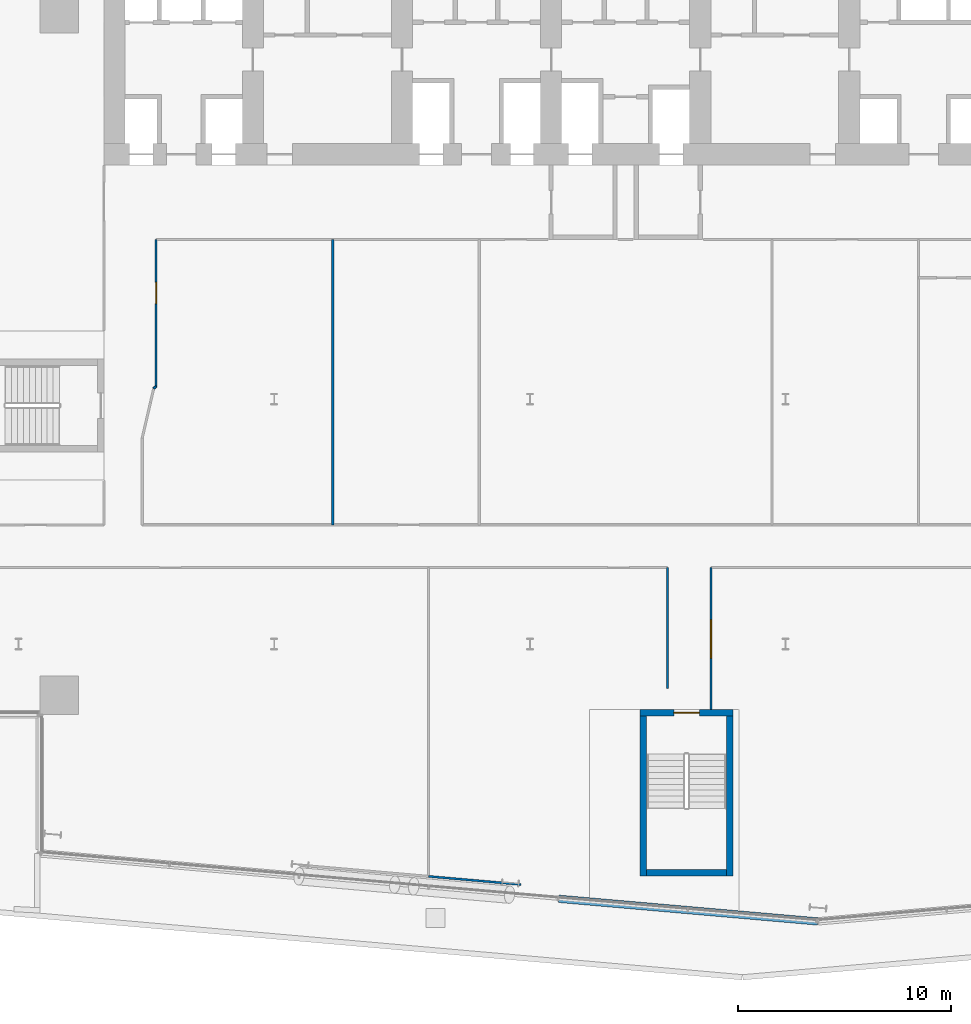
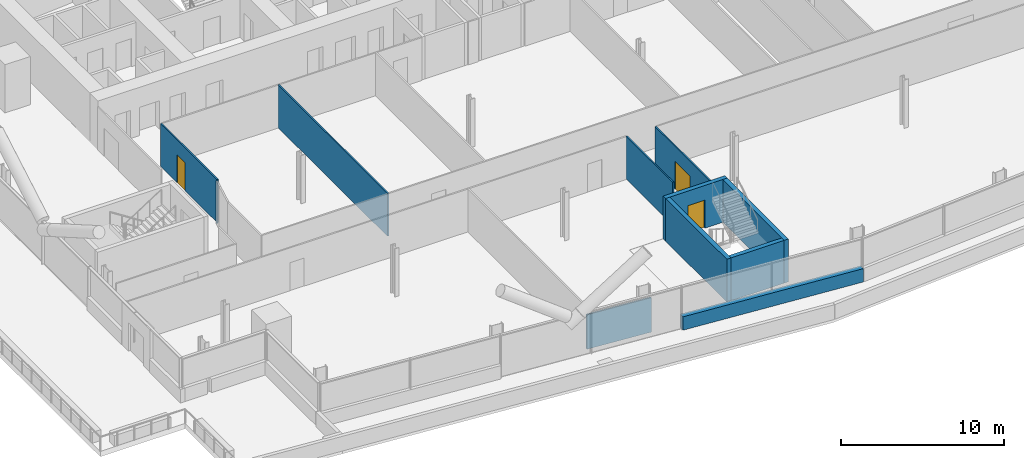
# One storey, part 12 of 26: 11 walls, 3 doors, 3 openings.
"""IFC4 building model written with IfcOpenShell, lengths in metres."""

from ifc_helpers import new_model, si_unit, direction, frame, frame_2d, origin, place, context, subcontext, project, spatial, rectangle, extrude, material, layer, layer_set, type_object, element, fill, save


model = new_model("IFC4")

# Units and contexts
model_context = context("Model", 3, precision=1e-05, world=origin(), true_north=direction((0.0, 1.0)))
body_context = subcontext(model_context, "Body", "Model", "MODEL_VIEW")
ifc_project = project(units=[si_unit("LENGTHUNIT", "METRE"), si_unit("AREAUNIT", "SQUARE_METRE"), si_unit("VOLUMEUNIT", "CUBIC_METRE"), si_unit("PLANEANGLEUNIT", "RADIAN"), si_unit("MASSUNIT", "GRAM", prefix="KILO")], contexts=[model_context])

# Site, building, storey
site_placement = place(None, origin())
site = spatial("IfcSite", under=ifc_project, at=site_placement, CompositionType="ELEMENT")
building_placement = place(site_placement, origin())
building = spatial("IfcBuilding", under=site, at=building_placement, Name="Wharfspan Tower", CompositionType="ELEMENT")
storey_placement = place(building_placement, frame((0.0, 0.0, 96.699951)))
storey = spatial("IfcBuildingStorey", under=building, at=storey_placement, Name="L21", CompositionType="ELEMENT", Elevation=96.699951)

# Wall
ifc_material_1 = material(Name="Gypsum board on steel studs", Category="steel")
ifc_layer_1 = layer(ifc_material_1, 0.100098)
ifc_layer_set_1 = layer_set([ifc_layer_1], Name="Gypsum board on steel studs")
wall_type_1 = type_object("IfcWallType", Name="Compartment wall 100 EI 60", PredefinedType="PARTITIONING", material=ifc_layer_set_1)
wall_1_placement = place(storey_placement, frame((18.340088, 23.495117, 0.0), z_axis=(0.0, 0.0, 1.0), x_axis=(0.738517, 0.67423, 0.0)))
element("IfcWall", 1, at=wall_1_placement, inside=storey, type_object=wall_type_1, Name="Partition L21.w011", PredefinedType="PARTITIONING", context=body_context, shape_type="SweptSolid", body=[
    extrude(rectangle(XDim=0.155762, YDim=0.100098, at=frame_2d((0.077881, 0.0))), origin(), (0.0, 0.0, 1.0), 3.199951),
])

# Wall, opening, door
wall_2_placement = place(storey_placement, frame((18.455078, 23.600098, 0.0), z_axis=(0.0, 0.0, 1.0), x_axis=(0.0, 1.0, 0.0)))
wall_2 = element("IfcWall", 2, at=wall_2_placement, inside=storey, type_object=wall_type_1, Name="Partition L21.w012", PredefinedType="PARTITIONING", context=body_context, shape_type="SweptSolid", body=[
    extrude(rectangle(XDim=6.899902, YDim=0.100098, at=frame_2d((3.449951, 0.0))), origin(), (0.0, 0.0, 1.0), 3.199951),
])
opening_1_placement = place(wall_2_placement, frame((3.882324, 0.0, 0.0)))
opening_1 = element("IfcOpeningElement", 3, at=opening_1_placement, cuts=wall_2, Name="Opening B1-11", PredefinedType="OPENING", context=body_context, shape_type="SweptSolid", body=[
    extrude(rectangle(XDim=1.0, YDim=2.100098, at=frame_2d((0.5, 1.050049))), frame((0.0, 0.060059, 0.0), z_axis=(0.0, -1.0, 0.0), x_axis=(1.0, 0.0, 0.0)), (0.0, 0.0, 1.0), 0.120117),
])
ifc_material_2 = material(Name="Fire-rated timber door leaf in steel frame", Category="steel")
door_type_1 = type_object("IfcDoorType", Name="Door 1000 FD30S Right", OperationType="SINGLE_SWING_RIGHT", PredefinedType="DOOR", material=ifc_material_2)
door_1_placement = place(opening_1_placement, origin())
door_1 = element("IfcDoor", 4, at=door_1_placement, inside=storey, type_object=door_type_1, Name="Door B1-11", OperationType="SINGLE_SWING_RIGHT", OverallHeight=2.100098, OverallWidth=1.0, PredefinedType="DOOR", context=body_context, shape_type="SweptSolid", body=[
    extrude(rectangle(XDim=1.0, YDim=2.100098, at=frame_2d((0.5, 1.050049))), frame((0.0, 0.024902, 0.0), z_axis=(0.0, -1.0, 0.0), x_axis=(1.0, 0.0, 0.0)), (0.0, 0.0, 1.0), 0.050049),
])
fill(opening_1, door_1)

# Walls
wall_3_placement = place(storey_placement, frame((26.75, 17.094971, 0.0), z_axis=(0.0, 0.0, 1.0), x_axis=(0.0, 1.0, 0.0)))
element("IfcWall", 5, at=wall_3_placement, inside=storey, type_object=wall_type_1, Name="Partition L21.w014", PredefinedType="PARTITIONING", context=body_context, shape_type="SweptSolid", body=[
    extrude(rectangle(XDim=13.405029, YDim=0.100098, at=frame_2d((6.702637, 0.0))), origin(), (0.0, 0.0, 1.0), 3.199951),
])
wall_4_placement = place(storey_placement, frame((42.459961, 9.416992, 0.0), z_axis=(0.0, 0.0, 1.0), x_axis=(0.0, 1.0, 0.0)))
element("IfcWall", 6, at=wall_4_placement, inside=storey, type_object=wall_type_1, Name="Partition L21.w019", PredefinedType="PARTITIONING", context=body_context, shape_type="SweptSolid", body=[
    extrude(rectangle(XDim=5.673096, YDim=0.100098, at=frame_2d((2.836426, 0.0))), origin(), (0.0, 0.0, 1.0), 3.199951),
])

# Wall, opening, door
wall_5_placement = place(storey_placement, frame((44.51001, 8.437012, 0.0), z_axis=(0.0, 0.0, 1.0), x_axis=(0.0, 1.0, 0.0)))
wall_5 = element("IfcWall", 7, at=wall_5_placement, inside=storey, type_object=wall_type_1, Name="Partition L21.w020", PredefinedType="PARTITIONING", context=body_context, shape_type="SweptSolid", body=[
    extrude(rectangle(XDim=6.647949, YDim=0.100098, at=frame_2d((3.323975, 0.0))), origin(), (0.0, 0.0, 1.0), 3.199951),
])
opening_2_placement = place(wall_5_placement, frame((2.398193, 0.0, 0.0)))
opening_2 = element("IfcOpeningElement", 8, at=opening_2_placement, cuts=wall_5, Name="Opening B1-01", PredefinedType="OPENING", context=body_context, shape_type="SweptSolid", body=[
    extrude(rectangle(XDim=1.800049, YDim=2.100098, at=frame_2d((0.899902, 1.050049))), frame((0.0, 0.060059, 0.0), z_axis=(0.0, -1.0, 0.0), x_axis=(1.0, 0.0, 0.0)), (0.0, 0.0, 1.0), 0.120117),
])
door_type_2 = type_object("IfcDoorType", Name="Door 1800 FD30S Double", OperationType="DOUBLE_DOOR_SINGLE_SWING", PredefinedType="DOOR", material=ifc_material_2)
door_2_placement = place(opening_2_placement, origin())
door_2 = element("IfcDoor", 9, at=door_2_placement, inside=storey, type_object=door_type_2, Name="Door B1-01", OperationType="DOUBLE_DOOR_SINGLE_SWING", OverallHeight=2.100098, OverallWidth=1.800049, PredefinedType="DOOR", context=body_context, shape_type="SweptSolid", body=[
    extrude(rectangle(XDim=1.800049, YDim=2.100098, at=frame_2d((0.899902, 1.050049))), frame((0.0, 0.024902, 0.0), z_axis=(0.0, -1.0, 0.0), x_axis=(1.0, 0.0, 0.0)), (0.0, 0.0, 1.0), 0.050049),
])
fill(opening_2, door_2)

# Walls
ifc_layer_2 = layer(ifc_material_1, 0.100098)
ifc_layer_set_2 = layer_set([ifc_layer_2], Name="Gypsum board on steel studs")
wall_type_2 = type_object("IfcWallType", Name="Partition 100", PredefinedType="PARTITIONING", material=ifc_layer_set_2)
wall_6_placement = place(storey_placement, frame((35.584961, 0.209961, 0.0), z_axis=(0.0, 0.0, 1.0), x_axis=(-0.996173, 0.087353, 0.0)))
element("IfcWall", 10, at=wall_6_placement, inside=storey, type_object=wall_type_2, Name="Partition L21.w018", PredefinedType="PARTITIONING", context=body_context, shape_type="SweptSolid", body=[
    extrude(rectangle(XDim=4.351562, YDim=0.100098, at=frame_2d((2.175781, 0.0))), origin(), (0.0, 0.0, 1.0), 2.580078),
])
ifc_material_3 = material(Name="Concrete C40/50", Category="concrete")
ifc_layer_3 = layer(ifc_material_3, 0.350098)
ifc_layer_set_3 = layer_set([ifc_layer_3], Name="Concrete C40/50")
wall_type_3 = type_object("IfcWallType", Name="SPANDREL EXPOSED CONCRETE 350", PredefinedType="SOLIDWALL", material=ifc_layer_set_3)
wall_7_placement = place(storey_placement, frame((37.362793, -0.461426, 0.0), z_axis=(0.0, 0.0, 1.0), x_axis=(0.996194, -0.087159, 0.0)))
element("IfcWall", 11, at=wall_7_placement, inside=storey, type_object=wall_type_3, Name="Spandrel upstand L21 S1 2", PredefinedType="SOLIDWALL", context=body_context, shape_type="SweptSolid", body=[
    extrude(rectangle(XDim=12.19873, YDim=0.350098, at=frame_2d((6.099365, 0.0))), origin(), (0.0, 0.0, 1.0), 1.0),
])

# Wall, opening, door
ifc_layer_4 = layer(ifc_material_3, 0.300049)
ifc_layer_set_4 = layer_set([ifc_layer_4], Name="Concrete C40/50")
wall_type_4 = type_object("IfcWallType", Name="Stair core wall 300", PredefinedType="SHEAR", material=ifc_layer_set_4)
wall_8_placement = place(storey_placement, frame((41.185303, 8.26709, 0.0), z_axis=(0.0, 0.0, 1.0), x_axis=(1.0, 0.0, 0.0)))
wall_8 = element("IfcWall", 12, at=wall_8_placement, inside=storey, type_object=wall_type_4, Name="ST4 stair enclosure wall L21", PredefinedType="SHEAR", context=body_context, shape_type="SweptSolid", body=[
    extrude(rectangle(XDim=4.350098, YDim=0.300049, at=frame_2d((2.175049, 0.0))), origin(), (0.0, 0.0, 1.0), 3.199951),
])
opening_3_placement = place(wall_8_placement, frame((1.574951, 0.0, 0.0)))
opening_3 = element("IfcOpeningElement", 13, at=opening_3_placement, cuts=wall_8, Name="Opening SD4.L21", PredefinedType="OPENING", context=body_context, shape_type="SweptSolid", body=[
    extrude(rectangle(XDim=1.199951, YDim=2.100098, at=frame_2d((0.600098, 1.050049))), frame((0.0, 0.159912, 0.0), z_axis=(0.0, -1.0, 0.0), x_axis=(1.0, 0.0, 0.0)), (0.0, 0.0, 1.0), 0.320068),
])
ifc_material_4 = material(Name="Steel door leaf", Category="steel")
door_type_3 = type_object("IfcDoorType", Name="Stair door 1200x2100", OperationType="SINGLE_SWING_LEFT", PredefinedType="DOOR", material=ifc_material_4)
door_3_placement = place(opening_3_placement, origin())
door_3 = element("IfcDoor", 14, at=door_3_placement, inside=storey, type_object=door_type_3, Name="sd:L21:ST4z2", OperationType="SINGLE_SWING_RIGHT", OverallHeight=2.100098, OverallWidth=1.199951, PredefinedType="DOOR", context=body_context, shape_type="SweptSolid", body=[
    extrude(rectangle(XDim=1.199951, YDim=2.100098, at=frame_2d((0.600098, 1.050049))), frame((0.0, 0.024902, 0.0), z_axis=(0.0, -1.0, 0.0), x_axis=(1.0, 0.0, 0.0)), (0.0, 0.0, 1.0), 0.050049),
])
fill(opening_3, door_3)

# Walls
for number, where, z_axis, x_axis, name in (
    (15, (41.335205, 0.616943, 0.0), (0.0, 0.0, 1.0), (0.0, 1.0, 0.0), "ST4 stair enclosure wall L21"),
    (16, (45.385254, 0.616943, 0.0), (0.0, 0.0, 1.0), (0.0, 1.0, 0.0), "ST4 stair enclosure wall L21"),
):
    element("IfcWall", number, at=place(storey_placement, frame(where, z_axis=z_axis, x_axis=x_axis)), inside=storey, type_object=wall_type_4, Name=name, PredefinedType="SHEAR", context=body_context, shape_type="SweptSolid", body=[
        extrude(rectangle(XDim=7.5, YDim=0.300049, at=frame_2d((3.75, 0.0))), origin(), (0.0, 0.0, 1.0), 3.199951),
    ])
wall_9_placement = place(storey_placement, frame((41.485352, 0.76709, 0.0), z_axis=(0.0, 0.0, 1.0), x_axis=(1.0, 0.0, 0.0)))
element("IfcWall", 17, at=wall_9_placement, inside=storey, type_object=wall_type_4, Name="ST4 stair enclosure wall L21", PredefinedType="SHEAR", context=body_context, shape_type="SweptSolid", body=[
    extrude(rectangle(XDim=3.75, YDim=0.300049, at=frame_2d((1.875, 0.0))), origin(), (0.0, 0.0, 1.0), 3.199951),
])

save(model, "model.ifc")
